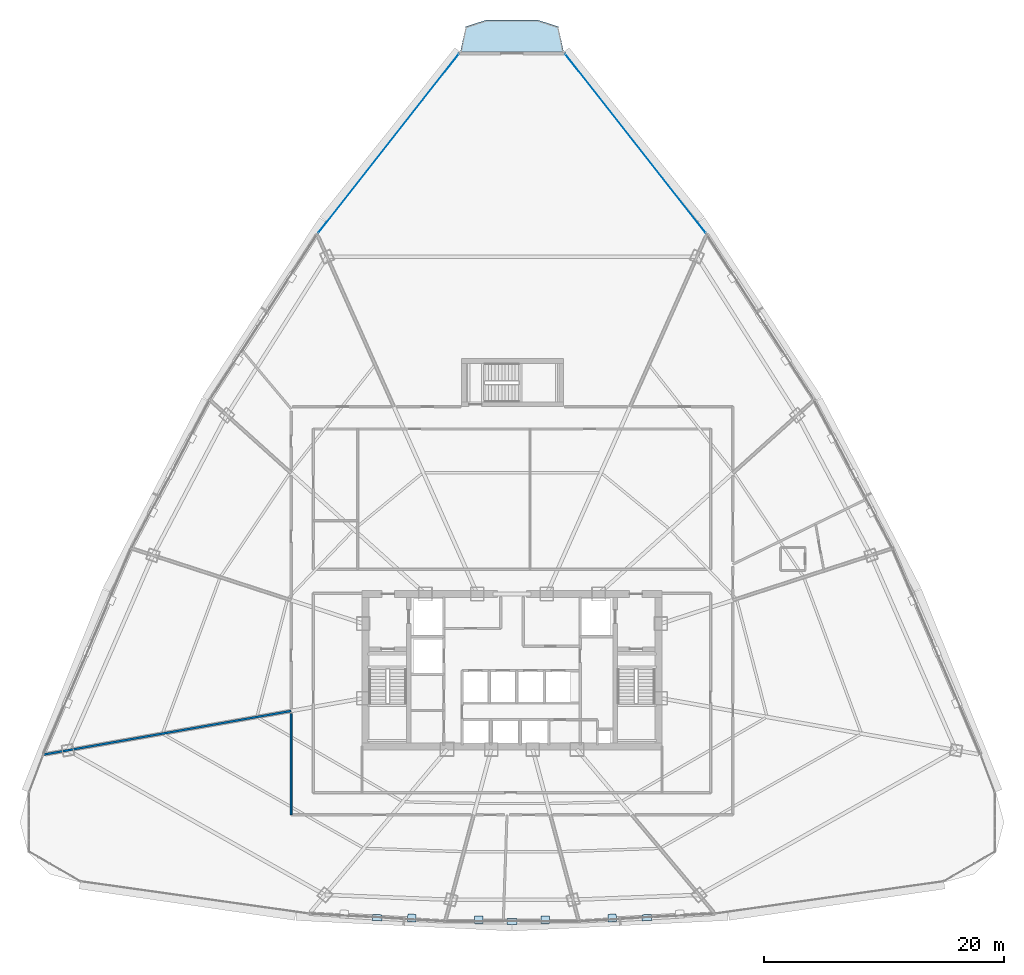
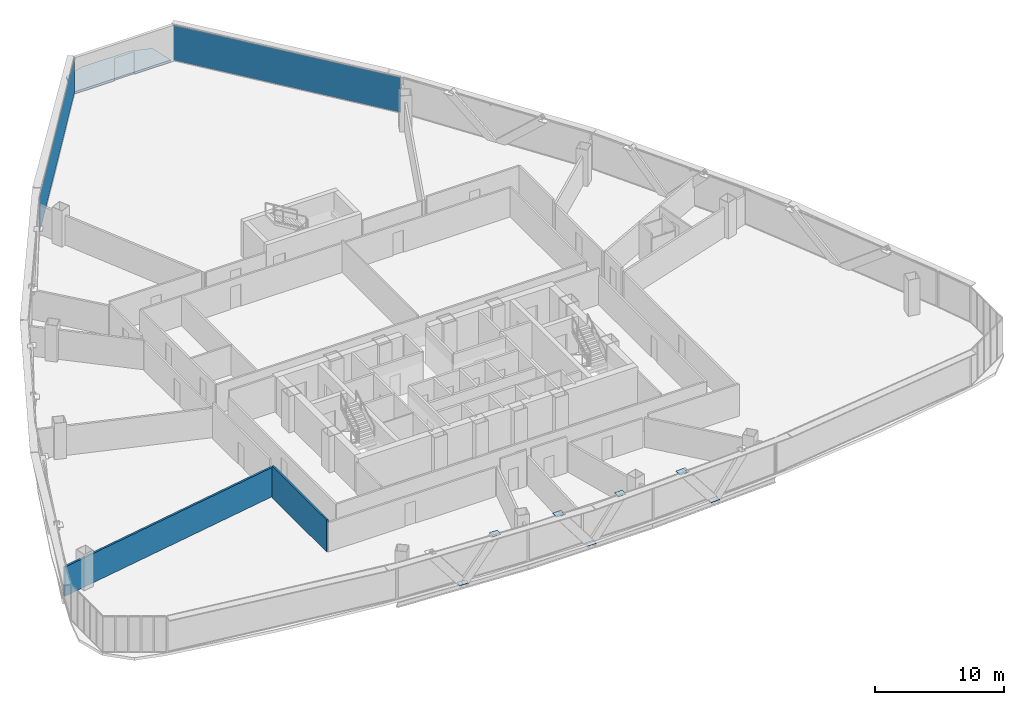
# One storey, part 34 of 42: 9 plates, 2 walls, 1 slab, 2 elements without a shape of their own.
"""IFC4 building model written with IfcOpenShell, lengths in metres."""

from ifc_helpers import new_model, si_unit, direction, frame, frame_2d, origin, origin_2d, place, context, subcontext, project, spatial, polyline, rectangle, outline, extrude, source, transform, mapped, material, layer, layer_set, type_object, element, aggregate, save


model = new_model("IFC4")

# Units and contexts
model_context = context("Model", 3, precision=1e-05, world=origin(), true_north=direction((0.0, 1.0)))
body_context = subcontext(model_context, "Body", "Model", "MODEL_VIEW")
ifc_project = project(units=[si_unit("LENGTHUNIT", "METRE"), si_unit("AREAUNIT", "SQUARE_METRE"), si_unit("VOLUMEUNIT", "CUBIC_METRE"), si_unit("PLANEANGLEUNIT", "RADIAN"), si_unit("MASSUNIT", "GRAM", prefix="KILO"), si_unit("THERMODYNAMICTEMPERATUREUNIT", "KELVIN"), si_unit("POWERUNIT", "WATT")], contexts=[model_context])

# Site, building, storey
site_placement = place(None, origin())
site = spatial("IfcSite", under=ifc_project, at=site_placement, CompositionType="ELEMENT")
building_placement = place(site_placement, origin())
building = spatial("IfcBuilding", under=site, at=building_placement, Name="Yunzhuo Pagoda Commons", CompositionType="ELEMENT")
storey_placement = place(building_placement, frame((0.0, 0.0, 137.18994140625)))
storey = spatial("IfcBuildingStorey", under=building, at=storey_placement, Name="L34", CompositionType="ELEMENT", Elevation=137.18994140625)

# Slab
ifc_material_1 = material(Name="Concrete C40", Category="concrete")
ifc_layer_1 = layer(ifc_material_1, 0.199951171875)
ifc_layer_set_1 = layer_set([ifc_layer_1], Name="Concrete C40")
slab_type = type_object("IfcSlabType", Name="SL-BAL Vertex Balcony Deck Slab 200", PredefinedType="FLOOR", material=ifc_layer_set_1)
slab_placement = place(storey_placement, frame((0.0, 0.0, -0.199951171875)))
element("IfcSlab", 1, at=slab_placement, inside=storey, type_object=slab_type, Name="L34 corner balcony V3", PredefinedType="FLOOR", context=body_context, shape_type="SweptSolid", body=[
    extrude(outline(polyline([(52.30126953125, 85.37841796875), (43.69873046875, 85.37841796875), (44.148681640625, 87.473388671875), (45.849365234375, 88.0234375), (50.150634765625, 88.0234375), (51.851318359375, 87.473388671875), (52.30126953125, 85.37841796875)])), origin(), (0.0, 0.0, 1.0), 0.199951171875),
])

# Plates
ifc_material_2 = material(Name="Structural steel Q355B", Category="steel")
ifc_layer_2 = layer(ifc_material_2, 0.028076171875)
ifc_layer_set_2 = layer_set([ifc_layer_2], Name="Structural steel Q355B")
plate_type_1 = type_object("IfcPlateType", Name="SP-ND1 Lattice Node Cap Plate 800x500x28", PredefinedType="USERDEFINED", material=ifc_layer_set_2)
shared_shape_1 = source(origin(), body_context, "Body", "SweptSolid", [
    extrude(rectangle(XDim=0.800048828125, YDim=0.5, at=origin_2d()), origin(), (0.0, 0.0, 1.0), 0.028076171875),
])
for number, where, z_axis, x_axis, name in (
    (2, (36.7666015625, 13.239501953125, -0.27392578125), (0.0, 0.0, 1.0), (0.998388700761, -0.056745063151, 0.0), "L34 diamond node plate F1.1A"),
    (3, (48.0, 12.91748046875, -0.27392578125), (0.0, 0.0, 1.0), (1.0, 0.0, 0.0), "L34 diamond node plate F1.2A"),
    (4, (59.2333984375, 13.239501953125, -0.27392578125), (0.0, 0.0, 1.0), (0.998388700761, 0.056745063151, 0.0), "L34 diamond node plate F1.3A"),
):
    element("IfcPlate", number, at=place(storey_placement, frame(where, z_axis=z_axis, x_axis=x_axis)), inside=storey, type_object=plate_type_1, Name=name, ObjectType="STIFFENER_PLATE", PredefinedType="USERDEFINED", context=body_context, shape_type="MappedRepresentation", body=[
        mapped(shared_shape_1, transform((0.0, 0.0, 0.0), scale=1.0)),
    ])
shared_shape_2 = source(origin(), body_context, "Body", "SweptSolid", [
    extrude(rectangle(XDim=0.699951171875, YDim=0.631591796875, at=origin_2d()), origin(), (0.0, 0.0, 1.0), 0.035888671875),
])
for number, where, z_axis, x_axis, name in (
    (5, (39.652099609375, 13.208984375, 3.38232421875), (0.0, 0.0, 1.0), (0.998388700761, -0.056745063151, 0.0), "L34 setback lattice tie plate F1.1R"),
    (6, (56.347900390625, 13.208984375, 3.38232421875), (0.0, 0.0, 1.0), (0.998388700761, 0.056745063151, 0.0), "L34 setback lattice tie plate F1.3L"),
):
    element("IfcPlate", number, at=place(storey_placement, frame(where, z_axis=z_axis, x_axis=x_axis)), inside=storey, type_object=plate_type_1, Name=name, ObjectType="STIFFENER_PLATE", PredefinedType="USERDEFINED", context=body_context, shape_type="MappedRepresentation", body=[
        mapped(shared_shape_2, transform((0.0, 0.0, 0.0), scale=1.0)),
    ])
shared_shape_3 = source(origin(), body_context, "Body", "SweptSolid", [
    extrude(rectangle(XDim=0.699951171875, YDim=0.615478515625, at=origin_2d()), origin(), (0.0, 0.0, 1.0), 0.035888671875),
])
for number, where, z_axis, x_axis, name in (
    (7, (45.2333984375, 13.049072265625, 3.38232421875), (0.0, 0.0, 1.0), (1.0, 0.0, 0.0), "L34 setback lattice tie plate F1.2L"),
    (8, (50.7666015625, 13.049072265625, 3.38232421875), (0.0, 0.0, 1.0), (1.0, 0.0, 0.0), "L34 setback lattice tie plate F1.2R"),
):
    element("IfcPlate", number, at=place(storey_placement, frame(where, z_axis=z_axis, x_axis=x_axis)), inside=storey, type_object=plate_type_1, Name=name, ObjectType="STIFFENER_PLATE", PredefinedType="USERDEFINED", context=body_context, shape_type="MappedRepresentation", body=[
        mapped(shared_shape_3, transform((0.0, 0.0, 0.0), scale=1.0)),
    ])

# Curtain wall, plate
ifc_material_3 = material(Name="Anodized aluminium 6063-T6", Category="aluminium")
ifc_layer_3 = layer(ifc_material_3, 0.14990234375)
ifc_layer_set_3 = layer_set([ifc_layer_3], Name="Anodized aluminium 6063-T6")
curtain_wall_type = type_object("IfcCurtainWallType", Name="CW-MID Mid-Zone Ribbon Curtain Wall", PredefinedType="NOTDEFINED", material=ifc_layer_set_3)
curtain_wall_1_placement = place(storey_placement, origin())
curtain_wall_1 = element("IfcCurtainWall", 9, at=curtain_wall_1_placement, inside=storey, type_object=curtain_wall_type, Name="L34 curtain wall CW-L34-F2B5", PredefinedType="NOTDEFINED")
ifc_material_4 = material(Name="Tempered low-e double glazing", Category="glass")
ifc_layer_4 = layer(ifc_material_4, 0.028076171875)
ifc_layer_set_4 = layer_set([ifc_layer_4], Name="Tempered low-e double glazing")
plate_type_2 = type_object("IfcPlateType", Name="CW-MID-P Low-E Double Glazing 28", PredefinedType="CURTAIN_PANEL", material=ifc_layer_set_4)
shared_shape_4 = source(origin(), body_context, "Body", "SweptSolid", [
    extrude(rectangle(XDim=18.9765625, YDim=0.028076171875, at=origin_2d()), origin(), (0.0, 0.0, 1.0), 3.31005859375),
])
plate_1_placement = place(storey_placement, frame((58.292236328125, 77.733154296875, 0.054931640625), z_axis=(0.0, 0.0, 1.0), x_axis=(-0.617499113588, 0.786571576347, 0.0)))
plate_1 = element("IfcPlate", 10, at=plate_1_placement, type_object=plate_type_2, Name="CW panel 1.1", PredefinedType="CURTAIN_PANEL", context=body_context, shape_type="MappedRepresentation", body=[
    mapped(shared_shape_4, transform((0.0, 0.0, 0.0), scale=1.0)),
])
aggregate(curtain_wall_1, [plate_1])

curtain_wall_2_placement = place(storey_placement, origin())
curtain_wall_2 = element("IfcCurtainWall", 11, at=curtain_wall_2_placement, inside=storey, type_object=curtain_wall_type, Name="L34 curtain wall CW-L34-F3B1", PredefinedType="NOTDEFINED")
plate_2_placement = place(storey_placement, frame((37.707763671875, 77.733154296875, 0.054931640625), z_axis=(0.0, 0.0, 1.0), x_axis=(-0.617499113588, -0.786571576347, 0.0)))
plate_2 = element("IfcPlate", 12, at=plate_2_placement, type_object=plate_type_2, Name="CW panel 1.1", PredefinedType="CURTAIN_PANEL", context=body_context, shape_type="MappedRepresentation", body=[
    mapped(shared_shape_4, transform((0.0, 0.0, 0.0), scale=1.0)),
])
aggregate(curtain_wall_2, [plate_2])

# Walls
ifc_material_5 = material(Name="Gypsum plasterboard on acoustic stud")
ifc_layer_5 = layer(ifc_material_5, 0.155029296875)
ifc_layer_set_5 = layer_set([ifc_layer_5], Name="Gypsum plasterboard on acoustic stud")
wall_type_1 = type_object("IfcWallType", Name="W-COR2 Mid-Zone Rated Corridor Wall 155", PredefinedType="PARTITIONING", material=ifc_layer_set_5)
wall_1_placement = place(storey_placement, frame((29.60009765625, 21.800048828125, 0.0), z_axis=(0.0, 0.0, 1.0), x_axis=(0.0, 1.0, 0.0)))
element("IfcWall", 13, at=wall_1_placement, inside=storey, type_object=wall_type_1, Name="L34 interior wall IW-L34-CWL01", PredefinedType="PARTITIONING", context=body_context, shape_type="SweptSolid", body=[
    extrude(rectangle(XDim=8.43212890625, YDim=0.155029296875, at=frame_2d((4.216064453125, 0.0))), origin(), (0.0, 0.0, 1.0), 3.02001953125),
])
ifc_layer_6 = layer(ifc_material_5, 0.175048828125)
ifc_layer_set_6 = layer_set([ifc_layer_6], Name="Gypsum plasterboard on acoustic stud")
wall_type_2 = type_object("IfcWallType", Name="W-PRT3 Mid-Zone Demising Wall 175", PredefinedType="PARTITIONING", material=ifc_layer_set_6)
wall_2_placement = place(storey_placement, frame((29.60009765625, 30.45556640625, 0.0), z_axis=(0.0, 0.0, 1.0), x_axis=(-0.98480711194, -0.173651813328, 0.0)))
element("IfcWall", 14, at=wall_2_placement, inside=storey, type_object=wall_type_2, Name="L34 interior wall IW-L34-RAD09", PredefinedType="PARTITIONING", context=body_context, shape_type="SweptSolid", body=[
    extrude(rectangle(XDim=20.966552734375, YDim=0.175048828125, at=frame_2d((10.4833984375, 0.0))), origin(), (0.0, 0.0, 1.0), 2.77001953125),
])

save(model, "model.ifc")
